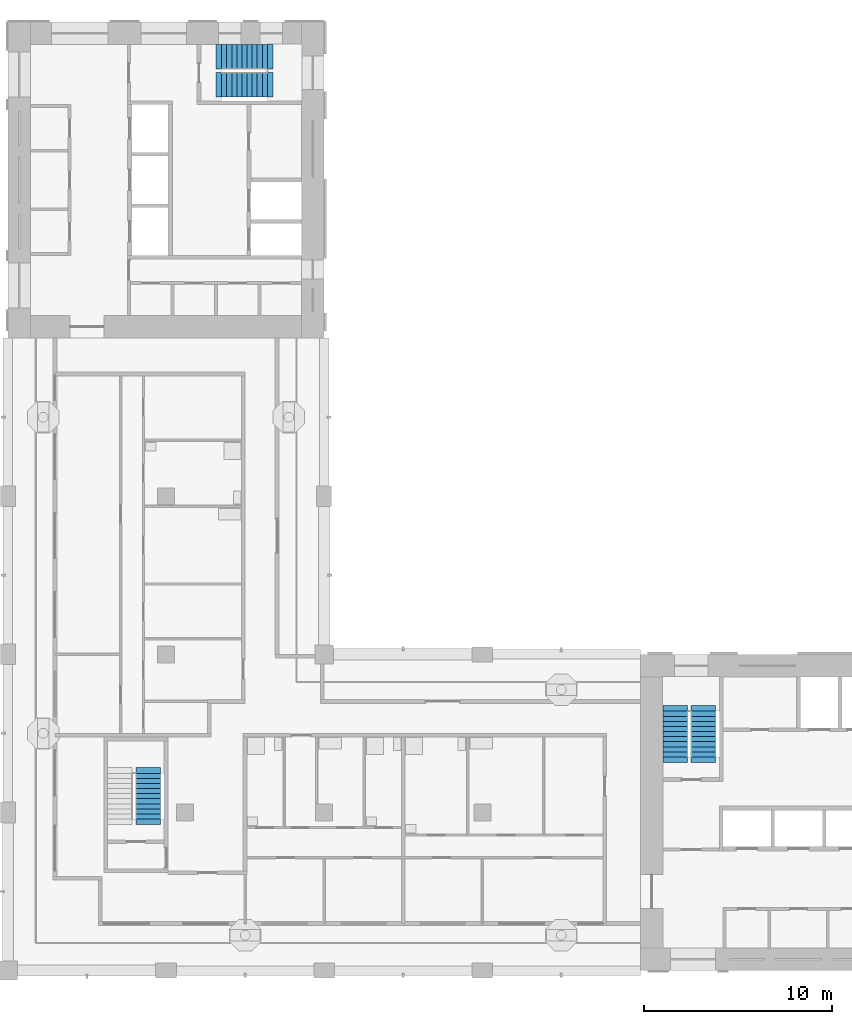
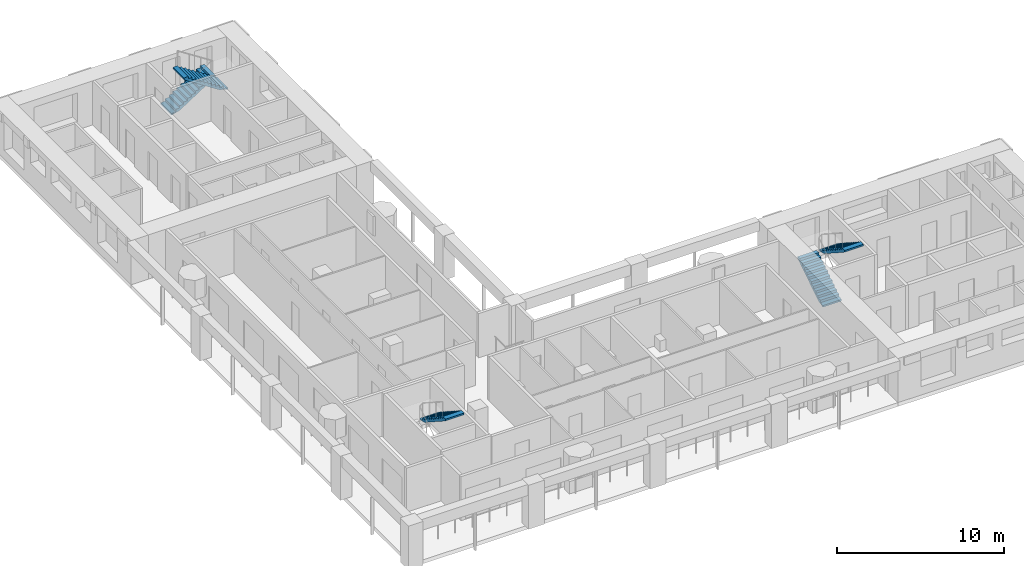
# One storey, part 7 of 12: 5 stair flights, 3 elements without a shape of their own.
"""IFC4 building model written with IfcOpenShell, lengths in metres."""

from ifc_helpers import new_model, si_unit, direction, frame, origin, place, context, subcontext, project, spatial, polyline, outline, extrude, material, type_object, element, aggregate, save


model = new_model("IFC4")

# Units and contexts
model_context = context("Model", 3, precision=1e-05, world=origin(), true_north=direction((0.0, 1.0)))
body_context = subcontext(model_context, "Body", "Model", "MODEL_VIEW")
ifc_project = project(units=[si_unit("LENGTHUNIT", "METRE"), si_unit("AREAUNIT", "SQUARE_METRE"), si_unit("VOLUMEUNIT", "CUBIC_METRE"), si_unit("PLANEANGLEUNIT", "RADIAN"), si_unit("MASSUNIT", "GRAM", prefix="KILO")], contexts=[model_context])

# Site, building, storey
site_placement = place(None, origin())
site = spatial("IfcSite", under=ifc_project, at=site_placement, CompositionType="ELEMENT")
building_placement = place(site_placement, origin())
building = spatial("IfcBuilding", under=site, at=building_placement, Name="Vermilion Gate Residences", CompositionType="ELEMENT")
storey_placement = place(building_placement, frame((0.0, 0.0, 238.699951171875)))
storey = spatial("IfcBuildingStorey", under=building, at=storey_placement, Name="L62", CompositionType="ELEMENT", Elevation=238.699951171875)

# Stair, stair flights
ifc_material_1 = material(Name="Concrete C50", Category="concrete")
stair_type = type_object("IfcStairType", Name="SPECIAL ESCAPE STAIR 1300", PredefinedType="HALF_TURN_STAIR", material=ifc_material_1)
stair_1_placement = place(storey_placement, origin())
stair_1 = element("IfcStair", 1, at=stair_1_placement, inside=storey, type_object=stair_type, Name="Special escape stair STA1-62", PredefinedType="HALF_TURN_STAIR")
ifc_material_2 = material(Name="Concrete C50", Category="concrete")
stair_flight_type = type_object("IfcStairFlightType", Name="STAIR FLIGHT 1300 RC C50", PredefinedType="STRAIGHT", material=ifc_material_2)
stair_flight_1_placement = place(storey_placement, frame((43.85009765625, 19.75, 0.0), z_axis=(0.0, 0.0, 1.0), x_axis=(0.0, 1.0, 0.0)))
stair_flight_1 = element("IfcStairFlight", 2, at=stair_flight_1_placement, type_object=stair_flight_type, Name="STA1-62 flight 1", NumberOfRisers=10, NumberOfTreads=9, PredefinedType="STRAIGHT", RiserHeight=0.175, TreadLength=0.27, context=body_context, shape_type="SweptSolid", body=[
    extrude(outline(polyline([(-0.300048828125, -0.14990234375), (-0.300048828125, -0.030029296875), (0.0, 0.0), (0.0, 0.175048828125), (0.27001953125, 0.175048828125), (0.27001953125, 0.35009765625), (0.5400390625, 0.35009765625), (0.5400390625, 0.52490234375), (0.81005859375, 0.52490234375), (0.81005859375, 0.699951171875), (1.080078125, 0.699951171875), (1.080078125, 0.875), (1.35009765625, 0.875), (1.35009765625, 1.050048828125), (1.6201171875, 1.050048828125), (1.6201171875, 1.22509765625), (1.889892578125, 1.22509765625), (1.889892578125, 1.39990234375), (2.159912109375, 1.39990234375), (2.159912109375, 1.574951171875), (2.429931640625, 1.574951171875), (2.429931640625, 1.75), (2.72998046875, 1.719970703125), (2.72998046875, 1.60009765625), (2.429931640625, 1.396484375), (0.275634765625, 0.0), (-0.300048828125, -0.14990234375)])), frame((0.0, 0.64990234375, 0.0), z_axis=(0.0, -1.0, 0.0), x_axis=(1.0, 0.0, 0.0)), (0.0, 0.0, 1.0), 1.300048828125),
])
stair_flight_2_placement = place(storey_placement, frame((45.35009765625, 22.179931640625, 1.75), z_axis=(0.0, 0.0, 1.0), x_axis=(0.0, -1.0, 0.0)))
stair_flight_2 = element("IfcStairFlight", 3, at=stair_flight_2_placement, type_object=stair_flight_type, Name="STA1-62 flight 2", NumberOfRisers=10, NumberOfTreads=9, PredefinedType="STRAIGHT", RiserHeight=0.175, TreadLength=0.27, context=body_context, shape_type="SweptSolid", body=[
    extrude(outline(polyline([(-0.300048828125, -0.14990234375), (-0.300048828125, -0.030029296875), (0.0, 0.0), (0.0, 0.175048828125), (0.27001953125, 0.175048828125), (0.27001953125, 0.35009765625), (0.5400390625, 0.35009765625), (0.5400390625, 0.52490234375), (0.81005859375, 0.52490234375), (0.81005859375, 0.699951171875), (1.080078125, 0.699951171875), (1.080078125, 0.875), (1.35009765625, 0.875), (1.35009765625, 1.050048828125), (1.6201171875, 1.050048828125), (1.6201171875, 1.22509765625), (1.889892578125, 1.22509765625), (1.889892578125, 1.39990234375), (2.159912109375, 1.39990234375), (2.159912109375, 1.574951171875), (2.429931640625, 1.574951171875), (2.429931640625, 1.75), (2.72998046875, 1.719970703125), (2.72998046875, 1.60009765625), (2.429931640625, 1.396484375), (0.275634765625, 0.0), (-0.300048828125, -0.14990234375)])), frame((0.0, 0.64990234375, 0.0), z_axis=(0.0, -1.0, 0.0), x_axis=(1.0, 0.0, 0.0)), (0.0, 0.0, 1.0), 1.300048828125),
])
aggregate(stair_1, [stair_flight_1, stair_flight_2])

stair_2_placement = place(storey_placement, origin())
stair_2 = element("IfcStair", 4, at=stair_2_placement, inside=storey, type_object=stair_type, Name="Special escape stair STB1-62", PredefinedType="HALF_TURN_STAIR")
stair_flight_3_placement = place(storey_placement, frame((19.75, 56.949951171875, 0.0), z_axis=(0.0, 0.0, 1.0), x_axis=(1.0, 0.0, 0.0)))
stair_flight_3 = element("IfcStairFlight", 5, at=stair_flight_3_placement, type_object=stair_flight_type, Name="STB1-62 flight 1", NumberOfRisers=10, NumberOfTreads=9, PredefinedType="STRAIGHT", RiserHeight=0.175, TreadLength=0.27, context=body_context, shape_type="SweptSolid", body=[
    extrude(outline(polyline([(-0.300048828125, -0.14990234375), (-0.300048828125, -0.030029296875), (0.0, 0.0), (0.0, 0.175048828125), (0.27001953125, 0.175048828125), (0.27001953125, 0.35009765625), (0.5400390625, 0.35009765625), (0.5400390625, 0.52490234375), (0.81005859375, 0.52490234375), (0.81005859375, 0.699951171875), (1.080078125, 0.699951171875), (1.080078125, 0.875), (1.35009765625, 0.875), (1.35009765625, 1.050048828125), (1.6201171875, 1.050048828125), (1.6201171875, 1.22509765625), (1.889892578125, 1.22509765625), (1.889892578125, 1.39990234375), (2.159912109375, 1.39990234375), (2.159912109375, 1.574951171875), (2.429931640625, 1.574951171875), (2.429931640625, 1.75), (2.72998046875, 1.719970703125), (2.72998046875, 1.60009765625), (2.429931640625, 1.396484375), (0.275634765625, 0.0), (-0.300048828125, -0.14990234375)])), frame((0.0, 0.64990234375, 0.0), z_axis=(0.0, -1.0, 0.0), x_axis=(1.0, 0.0, 0.0)), (0.0, 0.0, 1.0), 1.300048828125),
])
stair_flight_4_placement = place(storey_placement, frame((22.179931640625, 55.449951171875, 1.75), z_axis=(0.0, 0.0, 1.0), x_axis=(-1.0, 0.0, 0.0)))
stair_flight_4 = element("IfcStairFlight", 6, at=stair_flight_4_placement, type_object=stair_flight_type, Name="STB1-62 flight 2", NumberOfRisers=10, NumberOfTreads=9, PredefinedType="STRAIGHT", RiserHeight=0.175, TreadLength=0.27, context=body_context, shape_type="SweptSolid", body=[
    extrude(outline(polyline([(-0.300048828125, -0.14990234375), (-0.300048828125, -0.030029296875), (0.0, 0.0), (0.0, 0.175048828125), (0.27001953125, 0.175048828125), (0.27001953125, 0.35009765625), (0.5400390625, 0.35009765625), (0.5400390625, 0.52490234375), (0.81005859375, 0.52490234375), (0.81005859375, 0.699951171875), (1.080078125, 0.699951171875), (1.080078125, 0.875), (1.35009765625, 0.875), (1.35009765625, 1.050048828125), (1.6201171875, 1.050048828125), (1.6201171875, 1.22509765625), (1.889892578125, 1.22509765625), (1.889892578125, 1.39990234375), (2.159912109375, 1.39990234375), (2.159912109375, 1.574951171875), (2.429931640625, 1.574951171875), (2.429931640625, 1.75), (2.72998046875, 1.719970703125), (2.72998046875, 1.60009765625), (2.429931640625, 1.396484375), (0.275634765625, 0.0), (-0.300048828125, -0.14990234375)])), frame((0.0, 0.64990234375, 0.0), z_axis=(0.0, -1.0, 0.0), x_axis=(1.0, 0.0, 0.0)), (0.0, 0.0, 1.0), 1.300048828125),
])
aggregate(stair_2, [stair_flight_3, stair_flight_4])

# Stair, stair flight
stair_3_placement = place(storey_placement, origin())
stair_3 = element("IfcStair", 7, at=stair_3_placement, inside=storey, type_object=stair_type, Name="Special escape stair STC1-62", PredefinedType="HALF_TURN_STAIR")
stair_flight_5_placement = place(storey_placement, frame((15.85009765625, 18.8798828125, 1.75), z_axis=(0.0, 0.0, 1.0), x_axis=(0.0, -1.0, 0.0)))
stair_flight_5 = element("IfcStairFlight", 8, at=stair_flight_5_placement, type_object=stair_flight_type, Name="STC1-62 flight 2", NumberOfRisers=10, NumberOfTreads=9, PredefinedType="STRAIGHT", RiserHeight=0.175, TreadLength=0.27, context=body_context, shape_type="SweptSolid", body=[
    extrude(outline(polyline([(-0.300048828125, -0.14990234375), (-0.300048828125, -0.030029296875), (0.0, 0.0), (0.0, 0.175048828125), (0.27001953125, 0.175048828125), (0.27001953125, 0.35009765625), (0.5400390625, 0.35009765625), (0.5400390625, 0.52490234375), (0.81005859375, 0.52490234375), (0.81005859375, 0.699951171875), (1.080078125, 0.699951171875), (1.080078125, 0.875), (1.35009765625, 0.875), (1.35009765625, 1.050048828125), (1.6201171875, 1.050048828125), (1.6201171875, 1.22509765625), (1.889892578125, 1.22509765625), (1.889892578125, 1.39990234375), (2.159912109375, 1.39990234375), (2.159912109375, 1.574951171875), (2.429931640625, 1.574951171875), (2.429931640625, 1.75), (2.72998046875, 1.719970703125), (2.72998046875, 1.60009765625), (2.429931640625, 1.396484375), (0.275634765625, 0.0), (-0.300048828125, -0.14990234375)])), frame((0.0, 0.64990234375, 0.0), z_axis=(0.0, -1.0, 0.0), x_axis=(1.0, 0.0, 0.0)), (0.0, 0.0, 1.0), 1.300048828125),
])
aggregate(stair_3, [stair_flight_5])

save(model, "model.ifc")
